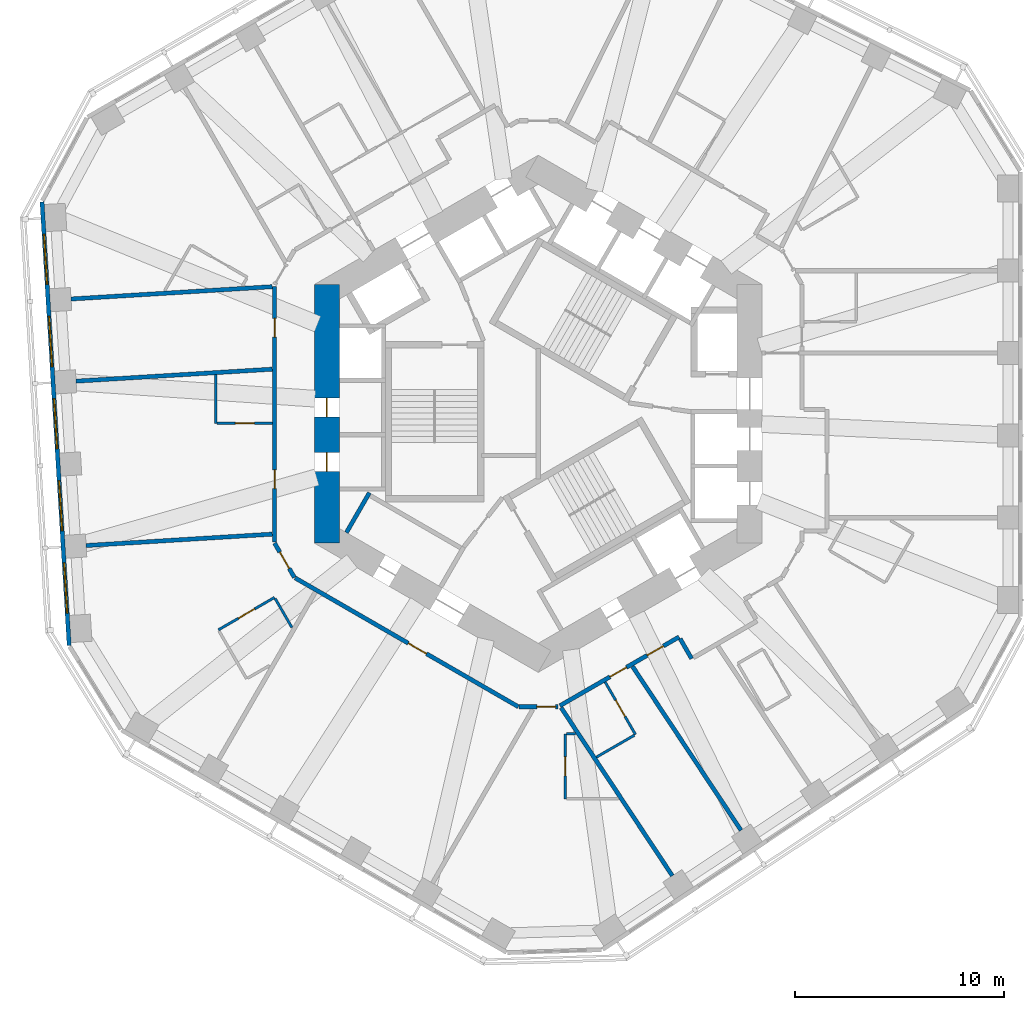
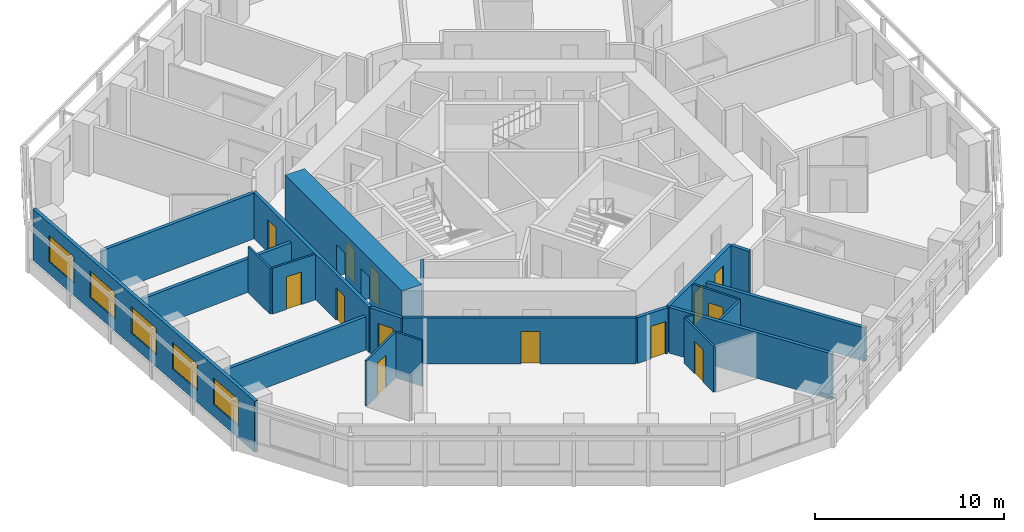
# One storey, part 4 of 12: 22 walls, 13 doors, 5 windows, 18 openings.
"""IFC4 building model written with IfcOpenShell, lengths in metres."""

import ifcopenshell
import ifcopenshell.guid

model = None  # the IFC model being written
_history = None  # IfcOwnerHistory: only IFC2X3 demands one
_inside = {}  # id of a spatial element -> (the spatial element, [elements in it])
_under = {}  # id of a project, library or spatial element -> (it, [spatial elements below it])
_declared = {}  # id of a project -> (the project, [libraries it declares])
_typed = {}  # id of a type object -> (the type object, [elements of that type])
_made_of = {}  # id of a material, layer set ... -> (it, [elements and type objects made of it])


def new_model(schema):
    """Start an empty IFC model of exactly this schema.

    Asked for "IFC4X3", IfcOpenShell would pick the latest addendum, in which some entities
    have other attributes; the version numbers below select the first issue.
    IFC2X3 requires an IfcOwnerHistory on every rooted entity: one is made here for all.
    """
    global model, _history
    if schema == "IFC4X3":
        model = ifcopenshell.file(schema_version=(4, 3, 0, 0))
    else:
        model = ifcopenshell.file(schema=schema)
    _inside.clear()
    _under.clear()
    _declared.clear()
    _typed.clear()
    _made_of.clear()
    _history = None
    if model.schema == "IFC2X3":
        org = make("IfcOrganization", Name="unknown")
        user = make(
            "IfcPersonAndOrganization",
            ThePerson=make("IfcPerson", FamilyName="unknown"),
            TheOrganization=org,
        )
        app = make(
            "IfcApplication",
            ApplicationDeveloper=org,
            Version="unknown",
            ApplicationFullName="unknown",
            ApplicationIdentifier="unknown",
        )
        _history = make(
            "IfcOwnerHistory",
            OwningUser=user,
            OwningApplication=app,
            ChangeAction="ADDED",
            CreationDate=0,
        )
    return model


def make(cls, **values):
    """One entity of the class cls with the attributes given. An attribute that is None is left unset."""
    return model.create_entity(
        cls, **{name: value for name, value in values.items() if value is not None}
    )


def rooted(cls, **values):
    """An entity with a GlobalId (a new one), such as an element, a storey or a relation."""
    return make(cls, GlobalId=ifcopenshell.guid.new(), OwnerHistory=_history, **values)


def si_unit(unit_type, name, prefix=None):
    """IfcSIUnit, for example si_unit("LENGTHUNIT", "METRE", prefix="MILLI")."""
    return make("IfcSIUnit", UnitType=unit_type, Prefix=prefix, Name=name)


def assignment(units):
    """IfcUnitAssignment: the units of a project."""
    return None if units is None else make("IfcUnitAssignment", Units=units)


def point(xyz):
    """IfcCartesianPoint."""
    return None if xyz is None else make("IfcCartesianPoint", Coordinates=xyz)


def direction(xyz):
    """IfcDirection."""
    return None if xyz is None else make("IfcDirection", DirectionRatios=xyz)


def frame(location, z_axis=None, x_axis=None):
    """IfcAxis2Placement3D, a coordinate frame: its origin and axes. An axis left out is left unset."""
    return make(
        "IfcAxis2Placement3D",
        Location=point(location),
        Axis=direction(z_axis),
        RefDirection=direction(x_axis),
    )


def frame_2d(location, x_axis=None):
    """IfcAxis2Placement2D, a coordinate frame in the plane: its origin and x axis."""
    return make(
        "IfcAxis2Placement2D", Location=point(location), RefDirection=direction(x_axis)
    )


def origin():
    """The frame at (0, 0, 0) with its axes left unset."""
    return frame((0.0, 0.0, 0.0))


def place(relative_to, where):
    """IfcLocalPlacement: puts the frame where relative to a parent placement (None: the world)."""
    return make(
        "IfcLocalPlacement", PlacementRelTo=relative_to, RelativePlacement=where
    )


def context(
    kind, dimensions, precision=None, world=None, true_north=None, identifier=None
):
    """IfcGeometricRepresentationContext, for example the 3D "Model" context."""
    return make(
        "IfcGeometricRepresentationContext",
        ContextIdentifier=identifier,
        ContextType=kind,
        CoordinateSpaceDimension=dimensions,
        Precision=precision,
        WorldCoordinateSystem=world,
        TrueNorth=true_north,
    )


def subcontext(parent, identifier, kind, view, scale=None):
    """IfcGeometricRepresentationSubContext, for example "Body" below "Model"."""
    return make(
        "IfcGeometricRepresentationSubContext",
        ContextIdentifier=identifier,
        ContextType=kind,
        ParentContext=parent,
        TargetScale=scale,
        TargetView=view,
    )


def project(units=None, contexts=None):
    """IfcProject with its units and contexts."""
    return rooted(
        "IfcProject",
        Name="project",
        RepresentationContexts=contexts,
        UnitsInContext=assignment(units),
    )


def spatial(cls, under=None, at=None, **own):
    """A site, building, storey or space (cls), placed at a placement, below another one or the project."""
    s = rooted(cls, ObjectPlacement=at, **own)
    if under is not None:
        _under.setdefault(under.id(), (under, []))[1].append(s)
    return s


def profile(cls, at=None, kind="AREA", **sizes):
    """A parametric profile (cls). Its sizes go by their IFC names, for example OverallWidth=200.0."""
    return make(cls, ProfileType=kind, Position=at, **sizes)


def rectangle(**sizes):
    """IfcRectangleProfileDef."""
    return profile("IfcRectangleProfileDef", **sizes)


def extrude(swept, where, along, depth):
    """IfcExtrudedAreaSolid: the profile swept, set in the frame where, extruded along a direction by depth."""
    return make(
        "IfcExtrudedAreaSolid",
        SweptArea=swept,
        Position=where,
        ExtrudedDirection=direction(along),
        Depth=depth,
    )


def shape(context_of_items, identifier, shape_type, items):
    """IfcShapeRepresentation: the items that make up one representation, for example the "Body"."""
    return make(
        "IfcShapeRepresentation",
        ContextOfItems=context_of_items,
        RepresentationIdentifier=identifier,
        RepresentationType=shape_type,
        Items=items,
    )


def material(Name=None, Category=None):
    """IfcMaterial."""
    return make("IfcMaterial", Name=Name, Category=Category)


def layer(
    of_material, thickness, ventilated=None, Name=None, Category=None, Priority=None
):
    """IfcMaterialLayer: one layer of a wall or slab, of a material (None: an air gap)."""
    return make(
        "IfcMaterialLayer",
        Material=of_material,
        LayerThickness=thickness,
        IsVentilated=ventilated,
        Name=Name,
        Category=Category,
        Priority=Priority,
    )


def layer_set(layers, Name=None):
    """IfcMaterialLayerSet."""
    return make("IfcMaterialLayerSet", MaterialLayers=layers, LayerSetName=Name)


def made_of(thing, what):
    """Note that an element or type object is made of a material, layer set ...; save() writes the relation."""
    if what is not None:
        _made_of.setdefault(what.id(), (what, []))[1].append(thing)
    return thing


def type_object(cls, material=None, **own):
    """A type object (cls), such as IfcWallType, which elements share."""
    return made_of(rooted(cls, **own), material)


def element(
    cls,
    number,
    at=None,
    inside=None,
    cuts=None,
    type_object=None,
    material=None,
    context=None,
    identifier="Body",
    shape_type=None,
    held_by="IfcProductDefinitionShape",
    body=None,
    shapes=None,
    **own,
):
    """One element of the class cls, such as IfcWall. Its Tag is "e" and its number.

    at: its placement. inside: the storey or other place that contains it. cuts: it is an
    opening in that element (IfcRelVoidsElement). A single representation is given by context,
    identifier, shape_type and body (its items); several are given by shapes. held_by: the class
    of the entity that holds the representations. save() writes the other relations.
    """
    e = rooted(cls, Tag="e%d" % number, ObjectPlacement=at, **own)
    if body is not None:
        shapes = [shape(context, identifier, shape_type, body)]
    if shapes is not None:
        e.Representation = make(held_by, Representations=shapes)
    if inside is not None:
        _inside.setdefault(inside.id(), (inside, []))[1].append(e)
    if cuts is not None:
        rooted(
            "IfcRelVoidsElement", RelatingBuildingElement=cuts, RelatedOpeningElement=e
        )
    if type_object is not None:
        _typed.setdefault(type_object.id(), (type_object, []))[1].append(e)
    return made_of(e, material)


def fill(opening, filler):
    """IfcRelFillsElement: the door or window that sits in an opening."""
    return rooted(
        "IfcRelFillsElement",
        RelatingOpeningElement=opening,
        RelatedBuildingElement=filler,
    )


def aggregate(whole, parts):
    """IfcRelAggregates: a whole, such as a stair, and the parts it consists of."""
    return rooted("IfcRelAggregates", RelatingObject=whole, RelatedObjects=parts)


def save(model, path):
    """Write the relations noted so far, then the file.

    IfcRelAggregates (storeys below a building ...), IfcRelContainedInSpatialStructure (elements
    in a storey), IfcRelDefinesByType, IfcRelAssociatesMaterial and IfcRelDeclares: one each for
    every whole, place, type object, material and project.
    """
    for whole, parts in _under.values():
        aggregate(whole, parts)
    for where, things in _inside.values():
        rooted(
            "IfcRelContainedInSpatialStructure",
            RelatedElements=things,
            RelatingStructure=where,
        )
    for kind, things in _typed.values():
        rooted("IfcRelDefinesByType", RelatedObjects=things, RelatingType=kind)
    for what, things in _made_of.values():
        rooted("IfcRelAssociatesMaterial", RelatedObjects=things, RelatingMaterial=what)
    for by, libraries in _declared.values():
        rooted("IfcRelDeclares", RelatingContext=by, RelatedDefinitions=libraries)
    model.write(path)


model = new_model("IFC4")

# Units and contexts
model_context = context("Model", 3, precision=1e-05, world=origin(), true_north=direction((0.0, 1.0)))
body_context = subcontext(model_context, "Body", "Model", "MODEL_VIEW")
ifc_project = project(units=[si_unit("LENGTHUNIT", "METRE"), si_unit("AREAUNIT", "SQUARE_METRE"), si_unit("VOLUMEUNIT", "CUBIC_METRE"), si_unit("PLANEANGLEUNIT", "RADIAN"), si_unit("MASSUNIT", "GRAM", prefix="KILO")], contexts=[model_context])

# Site, building, storey
site_placement = place(None, origin())
site = spatial("IfcSite", under=ifc_project, at=site_placement, CompositionType="ELEMENT")
building_placement = place(site_placement, origin())
building = spatial("IfcBuilding", under=site, at=building_placement, Name="Vanh Sen Convention Tower", CompositionType="ELEMENT")
storey_placement = place(building_placement, frame((0.0, 0.0, 116.60009765625)))
storey = spatial("IfcBuildingStorey", under=building, at=storey_placement, Name="L28", CompositionType="ELEMENT", Elevation=116.60009765625)

# Wall
ifc_material_1 = material(Name="Moisture-resistant gypsum board on steel studs", Category="steel")
ifc_layer_1 = layer(ifc_material_1, 0.1201171875)
ifc_layer_set_1 = layer_set([ifc_layer_1], Name="Moisture-resistant gypsum board on steel studs")
wall_type_1 = type_object("IfcWallType", Name="Bathroom partition 120", PredefinedType="PARTITIONING", material=ifc_layer_set_1)
wall_1_placement = place(storey_placement, frame((-15.39990234375, -0.460693359375, 0.0), z_axis=(0.0, 0.0, 1.0), x_axis=(0.0, 1.0, 0.0)))
element("IfcWall", 1, at=wall_1_placement, inside=storey, type_object=wall_type_1, Name="Bathroom partition 120", PredefinedType="PARTITIONING", context=body_context, shape_type="SweptSolid", body=[
    extrude(rectangle(XDim=2.328857421875, YDim=0.1201171875, at=frame_2d((1.16455078125, 0.0))), origin(), (0.0, 0.0, 1.0), 2.949951171875),
])

# Wall, opening, door
wall_2_placement = place(storey_placement, frame((-15.285400390625, -10.326171875, 0.0), z_axis=(0.0, 0.0, 1.0), x_axis=(0.86600983753, 0.500026960575, 0.0)))
wall_2 = element("IfcWall", 2, at=wall_2_placement, inside=storey, type_object=wall_type_1, Name="Bathroom partition 120", PredefinedType="PARTITIONING", context=body_context, shape_type="SweptSolid", body=[
    extrude(rectangle(XDim=3.099853515625, YDim=0.1201171875, at=frame_2d((1.5498046875, 0.0))), origin(), (0.0, 0.0, 1.0), 2.949951171875),
])
opening_1_placement = place(wall_2_placement, frame((1.10009765625, 0.0, 0.0)))
opening_1 = element("IfcOpeningElement", 3, at=opening_1_placement, cuts=wall_2, Name="Opening D27122", PredefinedType="OPENING", context=body_context, shape_type="SweptSolid", body=[
    extrude(rectangle(XDim=0.89990234375, YDim=2.10009765625, at=frame_2d((0.449951171875, 1.050048828125))), frame((0.0, 0.070068359375, 0.0), z_axis=(0.0, -1.0, 0.0), x_axis=(1.0, 0.0, 0.0)), (0.0, 0.0, 1.0), 0.14013671875),
])
ifc_material_2 = material(Name="Laminate door in steel frame", Category="steel")
door_type_1 = type_object("IfcDoorType", Name="En-suite door 900", OperationType="SINGLE_SWING_LEFT", PredefinedType="DOOR", material=ifc_material_2)
door_1_placement = place(opening_1_placement, origin())
door_1 = element("IfcDoor", 4, at=door_1_placement, inside=storey, type_object=door_type_1, Name="En-suite door D27122", OperationType="SINGLE_SWING_LEFT", OverallHeight=2.10009765625, OverallWidth=0.89990234375, PredefinedType="DOOR", context=body_context, shape_type="SweptSolid", body=[
    extrude(rectangle(XDim=0.89990234375, YDim=2.10009765625, at=frame_2d((0.449951171875, 1.050048828125))), frame((0.0, 0.02490234375, 0.0), z_axis=(0.0, -1.0, 0.0), x_axis=(1.0, 0.0, 0.0)), (0.0, 0.0, 1.0), 0.050048828125),
])
fill(opening_1, door_1)

wall_3_placement = place(storey_placement, frame((-12.699951171875, -0.460693359375, 0.0), z_axis=(0.0, 0.0, 1.0), x_axis=(-1.0, 0.0, 0.0)))
wall_3 = element("IfcWall", 5, at=wall_3_placement, inside=storey, type_object=wall_type_1, Name="Bathroom partition 120", PredefinedType="PARTITIONING", context=body_context, shape_type="SweptSolid", body=[
    extrude(rectangle(XDim=2.64013671875, YDim=0.1201171875, at=frame_2d((1.320068359375, 0.0))), origin(), (0.0, 0.0, 1.0), 2.949951171875),
])
opening_2_placement = place(wall_3_placement, frame((0.8701171875, 0.0, 0.0)))
opening_2 = element("IfcOpeningElement", 6, at=opening_2_placement, cuts=wall_3, Name="Opening D27120", PredefinedType="OPENING", context=body_context, shape_type="SweptSolid", body=[
    extrude(rectangle(XDim=0.89990234375, YDim=2.10009765625, at=frame_2d((0.449951171875, 1.050048828125))), frame((0.0, 0.070068359375, 0.0), z_axis=(0.0, -1.0, 0.0), x_axis=(1.0, 0.0, 0.0)), (0.0, 0.0, 1.0), 0.14013671875),
])
door_2_placement = place(opening_2_placement, origin())
door_2 = element("IfcDoor", 7, at=door_2_placement, inside=storey, type_object=door_type_1, Name="En-suite door D27120", OperationType="SINGLE_SWING_LEFT", OverallHeight=2.10009765625, OverallWidth=0.89990234375, PredefinedType="DOOR", context=body_context, shape_type="SweptSolid", body=[
    extrude(rectangle(XDim=0.89990234375, YDim=2.10009765625, at=frame_2d((0.449951171875, 1.050048828125))), frame((0.0, 0.02490234375, 0.0), z_axis=(0.0, -1.0, 0.0), x_axis=(1.0, 0.0, 0.0)), (0.0, 0.0, 1.0), 0.050048828125),
])
fill(opening_2, door_2)

# Wall
wall_4_placement = place(storey_placement, frame((-12.57080078125, -8.828125, 0.0), z_axis=(0.0, 0.0, 1.0), x_axis=(0.499960029081, -0.866048479775, 0.0)))
element("IfcWall", 8, at=wall_4_placement, inside=storey, type_object=wall_type_1, Name="Bathroom partition 120", PredefinedType="PARTITIONING", context=body_context, shape_type="SweptSolid", body=[
    extrude(rectangle(XDim=1.601318359375, YDim=0.1201171875, at=frame_2d((0.80078125, 0.0))), origin(), (0.0, 0.0, 1.0), 2.949951171875),
])

# Wall, opening, door
wall_5_placement = place(storey_placement, frame((1.300048828125, -18.400634765625, 0.0), z_axis=(0.0, 0.0, 1.0), x_axis=(0.0, 1.0, 0.0)))
wall_5 = element("IfcWall", 9, at=wall_5_placement, inside=storey, type_object=wall_type_1, Name="Bathroom partition 120", PredefinedType="PARTITIONING", context=body_context, shape_type="SweptSolid", body=[
    extrude(rectangle(XDim=3.099853515625, YDim=0.1201171875, at=frame_2d((1.5498046875, 0.0))), origin(), (0.0, 0.0, 1.0), 2.949951171875),
])
opening_3_placement = place(wall_5_placement, frame((1.10009765625, 0.0, 0.0)))
opening_3 = element("IfcOpeningElement", 10, at=opening_3_placement, cuts=wall_5, Name="Opening D27125", PredefinedType="OPENING", context=body_context, shape_type="SweptSolid", body=[
    extrude(rectangle(XDim=0.89990234375, YDim=2.10009765625, at=frame_2d((0.449951171875, 1.050048828125))), frame((0.0, 0.070068359375, 0.0), z_axis=(0.0, -1.0, 0.0), x_axis=(1.0, 0.0, 0.0)), (0.0, 0.0, 1.0), 0.14013671875),
])
door_3_placement = place(opening_3_placement, origin())
door_3 = element("IfcDoor", 11, at=door_3_placement, inside=storey, type_object=door_type_1, Name="En-suite door D27125", OperationType="SINGLE_SWING_LEFT", OverallHeight=2.10009765625, OverallWidth=0.89990234375, PredefinedType="DOOR", context=body_context, shape_type="SweptSolid", body=[
    extrude(rectangle(XDim=0.89990234375, YDim=2.10009765625, at=frame_2d((0.449951171875, 1.050048828125))), frame((0.0, 0.02490234375, 0.0), z_axis=(0.0, -1.0, 0.0), x_axis=(1.0, 0.0, 0.0)), (0.0, 0.0, 1.0), 0.050048828125),
])
fill(opening_3, door_3)

# Wall
wall_6_placement = place(storey_placement, frame((1.360107421875, -15.30078125, 0.0), z_axis=(0.0, 0.0, 1.0), x_axis=(1.0, 0.0, 0.0)))
element("IfcWall", 12, at=wall_6_placement, inside=storey, type_object=wall_type_1, Name="Bathroom partition 120", PredefinedType="PARTITIONING", context=body_context, shape_type="SweptSolid", body=[
    extrude(rectangle(XDim=0.415771484375, YDim=0.1201171875, at=frame_2d((0.2080078125, 0.0))), origin(), (0.0, 0.0, 1.0), 2.949951171875),
])

# Wall, opening, door
wall_7_placement = place(storey_placement, frame((3.1982421875, -12.818115234375, 0.0), z_axis=(0.0, 0.0, 1.0), x_axis=(0.499987231761, -0.866032775405, 0.0)))
wall_7 = element("IfcWall", 13, at=wall_7_placement, inside=storey, type_object=wall_type_1, Name="Bathroom partition 120", PredefinedType="PARTITIONING", context=body_context, shape_type="SweptSolid", body=[
    extrude(rectangle(XDim=2.89990234375, YDim=0.1201171875, at=frame_2d((1.449951171875, 0.0))), origin(), (0.0, 0.0, 1.0), 2.949951171875),
])
opening_4_placement = place(wall_7_placement, frame((1.0, 0.0, 0.0)))
opening_4 = element("IfcOpeningElement", 14, at=opening_4_placement, cuts=wall_7, Name="Opening D27127", PredefinedType="OPENING", context=body_context, shape_type="SweptSolid", body=[
    extrude(rectangle(XDim=0.89990234375, YDim=2.10009765625, at=frame_2d((0.449951171875, 1.050048828125))), frame((0.0, 0.070068359375, 0.0), z_axis=(0.0, -1.0, 0.0), x_axis=(1.0, 0.0, 0.0)), (0.0, 0.0, 1.0), 0.14013671875),
])
door_4_placement = place(opening_4_placement, origin())
door_4 = element("IfcDoor", 15, at=door_4_placement, inside=storey, type_object=door_type_1, Name="En-suite door D27127", OperationType="SINGLE_SWING_LEFT", OverallHeight=2.10009765625, OverallWidth=0.89990234375, PredefinedType="DOOR", context=body_context, shape_type="SweptSolid", body=[
    extrude(rectangle(XDim=0.89990234375, YDim=2.10009765625, at=frame_2d((0.449951171875, 1.050048828125))), frame((0.0, 0.02490234375, 0.0), z_axis=(0.0, -1.0, 0.0), x_axis=(1.0, 0.0, 0.0)), (0.0, 0.0, 1.0), 0.050048828125),
])
fill(opening_4, door_4)

# Wall
wall_8_placement = place(storey_placement, frame((4.59619140625, -15.359619140625, 0.0), z_axis=(0.0, 0.0, 1.0), x_axis=(-0.865986006152, -0.500068232493, 0.0)))
element("IfcWall", 16, at=wall_8_placement, inside=storey, type_object=wall_type_1, Name="Bathroom partition 120", PredefinedType="PARTITIONING", context=body_context, shape_type="SweptSolid", body=[
    extrude(rectangle(XDim=2.098388671875, YDim=0.1201171875, at=frame_2d((1.04931640625, 0.0))), origin(), (0.0, 0.0, 1.0), 2.949951171875),
])

# Wall, openings, doors
ifc_material_3 = material(Name="Concrete C80/95", Category="concrete")
ifc_layer_2 = layer(ifc_material_3, 1.199951171875)
ifc_layer_set_2 = layer_set([ifc_layer_2], Name="Concrete C80/95")
wall_type_2 = type_object("IfcWallType", Name="Core outer wall 1200 C80/95", PredefinedType="SHEAR", material=ifc_layer_set_2)
wall_9_placement = place(storey_placement, frame((-10.10009765625, 6.177490234375, 0.0), z_axis=(0.0, 0.0, 1.0), x_axis=(0.0, -1.0, 0.0)))
wall_9 = element("IfcWall", 17, at=wall_9_placement, inside=storey, type_object=wall_type_2, Name="Core wall face W L28", PredefinedType="SHEAR", context=body_context, shape_type="SweptSolid", body=[
    extrude(rectangle(XDim=12.35498046875, YDim=1.199951171875, at=frame_2d((6.177490234375, 0.0))), origin(), (0.0, 0.0, 1.0), 3.2998046875),
])
opening_5_placement = place(wall_9_placement, frame((5.427490234375, 0.0, 0.0)))
opening_5 = element("IfcOpeningElement", 18, at=opening_5_placement, cuts=wall_9, Name="Opening D27010", PredefinedType="OPENING", context=body_context, shape_type="SweptSolid", body=[
    extrude(rectangle(XDim=0.89990234375, YDim=2.10009765625, at=frame_2d((0.449951171875, 1.050048828125))), frame((0.0, 0.60986328125, 0.0), z_axis=(0.0, -1.0, 0.0), x_axis=(1.0, 0.0, 0.0)), (0.0, 0.0, 1.0), 1.219970703125),
])
opening_6_placement = place(wall_9_placement, frame((8.027587890625, 0.0, 0.0)))
opening_6 = element("IfcOpeningElement", 19, at=opening_6_placement, cuts=wall_9, Name="Opening D27011", PredefinedType="OPENING", context=body_context, shape_type="SweptSolid", body=[
    extrude(rectangle(XDim=0.89990234375, YDim=2.10009765625, at=frame_2d((0.449951171875, 1.050048828125))), frame((0.0, 0.60986328125, 0.0), z_axis=(0.0, -1.0, 0.0), x_axis=(1.0, 0.0, 0.0)), (0.0, 0.0, 1.0), 1.219970703125),
])
ifc_material_4 = material(Name="Steel S355", Category="steel")
door_type_2 = type_object("IfcDoorType", Name="Plant door 900", OperationType="SINGLE_SWING_LEFT", PredefinedType="DOOR", material=ifc_material_4)
door_5_placement = place(opening_5_placement, origin())
door_5 = element("IfcDoor", 20, at=door_5_placement, inside=storey, type_object=door_type_2, Name="Plant door D27010", OperationType="SINGLE_SWING_LEFT", OverallHeight=2.10009765625, OverallWidth=0.89990234375, PredefinedType="DOOR", context=body_context, shape_type="SweptSolid", body=[
    extrude(rectangle(XDim=0.89990234375, YDim=2.10009765625, at=frame_2d((0.449951171875, 1.050048828125))), frame((0.0, 0.02490234375, 0.0), z_axis=(0.0, -1.0, 0.0), x_axis=(1.0, 0.0, 0.0)), (0.0, 0.0, 1.0), 0.050048828125),
])
fill(opening_5, door_5)
door_6_placement = place(opening_6_placement, origin())
door_6 = element("IfcDoor", 21, at=door_6_placement, inside=storey, type_object=door_type_2, Name="Plant door D27011", OperationType="SINGLE_SWING_LEFT", OverallHeight=2.10009765625, OverallWidth=0.89990234375, PredefinedType="DOOR", context=body_context, shape_type="SweptSolid", body=[
    extrude(rectangle(XDim=0.89990234375, YDim=2.10009765625, at=frame_2d((0.449951171875, 1.050048828125))), frame((0.0, 0.02490234375, 0.0), z_axis=(0.0, -1.0, 0.0), x_axis=(1.0, 0.0, 0.0)), (0.0, 0.0, 1.0), 0.050048828125),
])
fill(opening_6, door_6)

# Wall, opening, door
ifc_material_5 = material(Name="Gypsum board on steel studs with mineral wool", Category="steel")
ifc_layer_3 = layer(ifc_material_5, 0.199951171875)
ifc_layer_set_3 = layer_set([ifc_layer_3], Name="Gypsum board on steel studs with mineral wool")
wall_type_3 = type_object("IfcWallType", Name="Corridor partition wall 200", PredefinedType="PARTITIONING", material=ifc_layer_set_3)
wall_10_placement = place(storey_placement, frame((-12.60009765625, -6.177490234375, 0.0), z_axis=(0.0, 0.0, 1.0), x_axis=(0.500063520245, -0.865988727248, 0.0)))
wall_10 = element("IfcWall", 22, at=wall_10_placement, inside=storey, type_object=wall_type_3, Name="Corridor partition wall 200", PredefinedType="PARTITIONING", context=body_context, shape_type="SweptSolid", body=[
    extrude(rectangle(XDim=1.900146484375, YDim=0.199951171875, at=frame_2d((0.9501953125, 0.0))), origin(), (0.0, 0.0, 1.0), 2.949951171875),
])
opening_7_placement = place(wall_10_placement, frame((0.5, 0.0, 0.0)))
opening_7 = element("IfcOpeningElement", 23, at=opening_7_placement, cuts=wall_10, Name="Opening D27121", PredefinedType="OPENING", context=body_context, shape_type="SweptSolid", body=[
    extrude(rectangle(XDim=0.89990234375, YDim=2.10009765625, at=frame_2d((0.449951171875, 1.050048828125))), frame((0.0, 0.10986328125, 0.0), z_axis=(0.0, -1.0, 0.0), x_axis=(1.0, 0.0, 0.0)), (0.0, 0.0, 1.0), 0.219970703125),
])
ifc_material_6 = material(Name="Timber fire door in steel frame", Category="steel")
door_type_3 = type_object("IfcDoorType", Name="Guest room door 900", OperationType="SINGLE_SWING_LEFT", PredefinedType="DOOR", material=ifc_material_6)
door_7_placement = place(opening_7_placement, origin())
door_7 = element("IfcDoor", 24, at=door_7_placement, inside=storey, type_object=door_type_3, Name="Hotel guest room door D27121", OperationType="SINGLE_SWING_LEFT", OverallHeight=2.10009765625, OverallWidth=0.89990234375, PredefinedType="DOOR", context=body_context, shape_type="SweptSolid", body=[
    extrude(rectangle(XDim=0.89990234375, YDim=2.10009765625, at=frame_2d((0.449951171875, 1.050048828125))), frame((0.0, 0.02490234375, 0.0), z_axis=(0.0, -1.0, 0.0), x_axis=(1.0, 0.0, 0.0)), (0.0, 0.0, 1.0), 0.050048828125),
])
fill(opening_7, door_7)

# Wall, openings, doors
wall_11_placement = place(storey_placement, frame((-12.60009765625, 6.081298828125, 0.0), z_axis=(0.0, 0.0, 1.0), x_axis=(0.0, -1.0, 0.0)))
wall_11 = element("IfcWall", 25, at=wall_11_placement, inside=storey, type_object=wall_type_3, Name="Corridor partition wall 200", PredefinedType="PARTITIONING", context=body_context, shape_type="SweptSolid", body=[
    extrude(rectangle(XDim=12.218994140625, YDim=0.199951171875, at=frame_2d((6.109375, 0.0))), origin(), (0.0, 0.0, 1.0), 2.949951171875),
])
opening_8_placement = place(wall_11_placement, frame((1.52099609375, 0.0, 0.0)))
opening_8 = element("IfcOpeningElement", 26, at=opening_8_placement, cuts=wall_11, Name="Opening D27118", PredefinedType="OPENING", context=body_context, shape_type="SweptSolid", body=[
    extrude(rectangle(XDim=0.89990234375, YDim=2.10009765625, at=frame_2d((0.449951171875, 1.050048828125))), frame((0.0, 0.10986328125, 0.0), z_axis=(0.0, -1.0, 0.0), x_axis=(1.0, 0.0, 0.0)), (0.0, 0.0, 1.0), 0.219970703125),
])
opening_9_placement = place(wall_11_placement, frame((8.7587890625, 0.0, 0.0)))
opening_9 = element("IfcOpeningElement", 27, at=opening_9_placement, cuts=wall_11, Name="Opening D27119", PredefinedType="OPENING", context=body_context, shape_type="SweptSolid", body=[
    extrude(rectangle(XDim=0.89990234375, YDim=2.10009765625, at=frame_2d((0.449951171875, 1.050048828125))), frame((0.0, 0.10986328125, 0.0), z_axis=(0.0, -1.0, 0.0), x_axis=(1.0, 0.0, 0.0)), (0.0, 0.0, 1.0), 0.219970703125),
])
door_type_4 = type_object("IfcDoorType", Name="Floor service door 900", OperationType="SINGLE_SWING_LEFT", PredefinedType="DOOR", material=ifc_material_6)
door_8_placement = place(opening_8_placement, origin())
door_8 = element("IfcDoor", 28, at=door_8_placement, inside=storey, type_object=door_type_4, Name="Service room door D27118", OperationType="SINGLE_SWING_LEFT", OverallHeight=2.10009765625, OverallWidth=0.89990234375, PredefinedType="DOOR", context=body_context, shape_type="SweptSolid", body=[
    extrude(rectangle(XDim=0.89990234375, YDim=2.10009765625, at=frame_2d((0.449951171875, 1.050048828125))), frame((0.0, 0.02490234375, 0.0), z_axis=(0.0, -1.0, 0.0), x_axis=(1.0, 0.0, 0.0)), (0.0, 0.0, 1.0), 0.050048828125),
])
fill(opening_8, door_8)
door_9_placement = place(opening_9_placement, origin())
door_9 = element("IfcDoor", 29, at=door_9_placement, inside=storey, type_object=door_type_3, Name="Hotel guest room door D27119", OperationType="SINGLE_SWING_LEFT", OverallHeight=2.10009765625, OverallWidth=0.89990234375, PredefinedType="DOOR", context=body_context, shape_type="SweptSolid", body=[
    extrude(rectangle(XDim=0.89990234375, YDim=2.10009765625, at=frame_2d((0.449951171875, 1.050048828125))), frame((0.0, 0.02490234375, 0.0), z_axis=(0.0, -1.0, 0.0), x_axis=(1.0, 0.0, 0.0)), (0.0, 0.0, 1.0), 0.050048828125),
])
fill(opening_9, door_9)

# Wall, opening, door
wall_12_placement = place(storey_placement, frame((-11.615478515625, -7.843017578125, 0.0), z_axis=(0.0, 0.0, 1.0), x_axis=(0.866026466995, -0.499998158461, 0.0)))
wall_12 = element("IfcWall", 30, at=wall_12_placement, inside=storey, type_object=wall_type_3, Name="Corridor partition wall 200", PredefinedType="PARTITIONING", context=body_context, shape_type="SweptSolid", body=[
    extrude(rectangle(XDim=12.3154296875, YDim=0.199951171875, at=frame_2d((6.15771484375, 0.0))), origin(), (0.0, 0.0, 1.0), 2.949951171875),
])
opening_10_placement = place(wall_12_placement, frame((6.244140625, 0.0, 0.0)))
opening_10 = element("IfcOpeningElement", 31, at=opening_10_placement, cuts=wall_12, Name="Opening D27123", PredefinedType="OPENING", context=body_context, shape_type="SweptSolid", body=[
    extrude(rectangle(XDim=1.0, YDim=2.10009765625, at=frame_2d((0.5, 1.050048828125))), frame((0.0, 0.10986328125, 0.0), z_axis=(0.0, -1.0, 0.0), x_axis=(1.0, 0.0, 0.0)), (0.0, 0.0, 1.0), 0.219970703125),
])
door_type_5 = type_object("IfcDoorType", Name="Floor room door 1000", OperationType="SINGLE_SWING_LEFT", PredefinedType="DOOR", material=ifc_material_6)
door_10_placement = place(opening_10_placement, origin())
door_10 = element("IfcDoor", 32, at=door_10_placement, inside=storey, type_object=door_type_5, Name="Meeting and amenity room door D27123", OperationType="SINGLE_SWING_LEFT", OverallHeight=2.10009765625, OverallWidth=1.0, PredefinedType="DOOR", context=body_context, shape_type="SweptSolid", body=[
    extrude(rectangle(XDim=1.0, YDim=2.10009765625, at=frame_2d((0.5, 1.050048828125))), frame((0.0, 0.02490234375, 0.0), z_axis=(0.0, -1.0, 0.0), x_axis=(1.0, 0.0, 0.0)), (0.0, 0.0, 1.0), 0.050048828125),
])
fill(opening_10, door_10)

wall_13_placement = place(storey_placement, frame((-0.909912109375, -14.000732421875, 0.0), z_axis=(0.0, 0.0, 1.0), x_axis=(1.0, 0.0, 0.0)))
wall_13 = element("IfcWall", 33, at=wall_13_placement, inside=storey, type_object=wall_type_3, Name="Corridor partition wall 200", PredefinedType="PARTITIONING", context=body_context, shape_type="SweptSolid", body=[
    extrude(rectangle(XDim=1.85986328125, YDim=0.199951171875, at=frame_2d((0.929931640625, 0.0))), origin(), (0.0, 0.0, 1.0), 2.949951171875),
])
opening_11_placement = place(wall_13_placement, frame((0.841796875, 0.0, 0.0)))
opening_11 = element("IfcOpeningElement", 34, at=opening_11_placement, cuts=wall_13, Name="Opening D27124", PredefinedType="OPENING", context=body_context, shape_type="SweptSolid", body=[
    extrude(rectangle(XDim=0.89990234375, YDim=2.10009765625, at=frame_2d((0.449951171875, 1.050048828125))), frame((0.0, 0.10986328125, 0.0), z_axis=(0.0, -1.0, 0.0), x_axis=(1.0, 0.0, 0.0)), (0.0, 0.0, 1.0), 0.219970703125),
])
door_11_placement = place(opening_11_placement, origin())
door_11 = element("IfcDoor", 35, at=door_11_placement, inside=storey, type_object=door_type_3, Name="Hotel guest room door D27124", OperationType="SINGLE_SWING_LEFT", OverallHeight=2.10009765625, OverallWidth=0.89990234375, PredefinedType="DOOR", context=body_context, shape_type="SweptSolid", body=[
    extrude(rectangle(XDim=0.89990234375, YDim=2.10009765625, at=frame_2d((0.449951171875, 1.050048828125))), frame((0.0, 0.02490234375, 0.0), z_axis=(0.0, -1.0, 0.0), x_axis=(1.0, 0.0, 0.0)), (0.0, 0.0, 1.0), 0.050048828125),
])
fill(opening_11, door_11)

# Wall, openings, doors
wall_14_placement = place(storey_placement, frame((1.033447265625, -13.95263671875, 0.0), z_axis=(0.0, 0.0, 1.0), x_axis=(0.866017531406, 0.500013635111, 0.0)))
wall_14 = element("IfcWall", 36, at=wall_14_placement, inside=storey, type_object=wall_type_3, Name="Corridor partition wall 200", PredefinedType="PARTITIONING", context=body_context, shape_type="SweptSolid", body=[
    extrude(rectangle(XDim=6.580322265625, YDim=0.199951171875, at=frame_2d((3.2900390625, 0.0))), origin(), (0.0, 0.0, 1.0), 2.949951171875),
])
opening_12_placement = place(wall_14_placement, frame((2.766845703125, 0.0, 0.0)))
opening_12 = element("IfcOpeningElement", 37, at=opening_12_placement, cuts=wall_14, Name="Opening D27126", PredefinedType="OPENING", context=body_context, shape_type="SweptSolid", body=[
    extrude(rectangle(XDim=0.89990234375, YDim=2.10009765625, at=frame_2d((0.449951171875, 1.050048828125))), frame((0.0, 0.10986328125, 0.0), z_axis=(0.0, -1.0, 0.0), x_axis=(1.0, 0.0, 0.0)), (0.0, 0.0, 1.0), 0.219970703125),
])
opening_13_placement = place(wall_14_placement, frame((4.81103515625, 0.0, 0.0)))
opening_13 = element("IfcOpeningElement", 38, at=opening_13_placement, cuts=wall_14, Name="Opening D27128", PredefinedType="OPENING", context=body_context, shape_type="SweptSolid", body=[
    extrude(rectangle(XDim=0.89990234375, YDim=2.10009765625, at=frame_2d((0.449951171875, 1.050048828125))), frame((0.0, 0.10986328125, 0.0), z_axis=(0.0, -1.0, 0.0), x_axis=(1.0, 0.0, 0.0)), (0.0, 0.0, 1.0), 0.219970703125),
])
door_12_placement = place(opening_13_placement, origin())
door_12 = element("IfcDoor", 39, at=door_12_placement, inside=storey, type_object=door_type_4, Name="Service room door D27128", OperationType="SINGLE_SWING_LEFT", OverallHeight=2.10009765625, OverallWidth=0.89990234375, PredefinedType="DOOR", context=body_context, shape_type="SweptSolid", body=[
    extrude(rectangle(XDim=0.89990234375, YDim=2.10009765625, at=frame_2d((0.449951171875, 1.050048828125))), frame((0.0, 0.02490234375, 0.0), z_axis=(0.0, -1.0, 0.0), x_axis=(1.0, 0.0, 0.0)), (0.0, 0.0, 1.0), 0.050048828125),
])
fill(opening_13, door_12)
door_13_placement = place(opening_12_placement, origin())
door_13 = element("IfcDoor", 40, at=door_13_placement, inside=storey, type_object=door_type_3, Name="Hotel guest room door D27126", OperationType="SINGLE_SWING_LEFT", OverallHeight=2.10009765625, OverallWidth=0.89990234375, PredefinedType="DOOR", context=body_context, shape_type="SweptSolid", body=[
    extrude(rectangle(XDim=0.89990234375, YDim=2.10009765625, at=frame_2d((0.449951171875, 1.050048828125))), frame((0.0, 0.02490234375, 0.0), z_axis=(0.0, -1.0, 0.0), x_axis=(1.0, 0.0, 0.0)), (0.0, 0.0, 1.0), 0.050048828125),
])
fill(opening_12, door_13)

# Wall
wall_15_placement = place(storey_placement, frame((6.781982421875, -10.7490234375, 0.0), z_axis=(0.0, 0.0, 1.0), x_axis=(0.500074377092, -0.865982457891, 0.0)))
element("IfcWall", 41, at=wall_15_placement, inside=storey, type_object=wall_type_3, Name="Corridor partition wall 200", PredefinedType="PARTITIONING", context=body_context, shape_type="SweptSolid", body=[
    extrude(rectangle(XDim=1.100830078125, YDim=0.199951171875, at=frame_2d((0.55029296875, 0.0))), origin(), (0.0, 0.0, 1.0), 2.949951171875),
])

# Wall, openings, windows
ifc_material_7 = material(Name="Insulated lightweight infill wall")
ifc_layer_4 = layer(ifc_material_7, 0.199951171875)
ifc_layer_set_4 = layer_set([ifc_layer_4], Name="Insulated lightweight infill wall")
wall_type_4 = type_object("IfcWallType", Name="External wall 200", PredefinedType="STANDARD", material=ifc_layer_set_4)
wall_16_placement = place(storey_placement, frame((-23.712646484375, 10.130859375, 0.0), z_axis=(0.0, 0.0, 1.0), x_axis=(0.061040439785, -0.998135293791, 0.0)))
wall_16 = element("IfcWall", 42, at=wall_16_placement, inside=storey, type_object=wall_type_4, Name="External wall W L28", PredefinedType="STANDARD", context=body_context, shape_type="SweptSolid", body=[
    extrude(rectangle(XDim=21.24609375, YDim=0.199951171875, at=frame_2d((10.623046875, 0.0))), origin(), (0.0, 0.0, 1.0), 3.2998046875),
])
opening_14_placement = place(wall_16_placement, frame((1.552978515625, 0.0, 0.800048828125)))
opening_14 = element("IfcOpeningElement", 43, at=opening_14_placement, cuts=wall_16, Name="Opening WH1-W1", PredefinedType="OPENING", context=body_context, shape_type="SweptSolid", body=[
    extrude(rectangle(XDim=2.39990234375, YDim=1.699951171875, at=frame_2d((1.199951171875, 0.85009765625))), frame((0.0, 0.10986328125, 0.0), z_axis=(0.0, -1.0, 0.0), x_axis=(1.0, 0.0, 0.0)), (0.0, 0.0, 1.0), 0.219970703125),
])
opening_15_placement = place(wall_16_placement, frame((5.48779296875, 0.0, 0.800048828125)))
opening_15 = element("IfcOpeningElement", 44, at=opening_15_placement, cuts=wall_16, Name="Opening WH1-W2", PredefinedType="OPENING", context=body_context, shape_type="SweptSolid", body=[
    extrude(rectangle(XDim=2.39990234375, YDim=1.699951171875, at=frame_2d((1.199951171875, 0.85009765625))), frame((0.0, 0.10986328125, 0.0), z_axis=(0.0, -1.0, 0.0), x_axis=(1.0, 0.0, 0.0)), (0.0, 0.0, 1.0), 0.219970703125),
])
opening_16_placement = place(wall_16_placement, frame((9.42236328125, 0.0, 0.800048828125)))
opening_16 = element("IfcOpeningElement", 45, at=opening_16_placement, cuts=wall_16, Name="Opening WH1-W3", PredefinedType="OPENING", context=body_context, shape_type="SweptSolid", body=[
    extrude(rectangle(XDim=2.39990234375, YDim=1.699951171875, at=frame_2d((1.199951171875, 0.85009765625))), frame((0.0, 0.10986328125, 0.0), z_axis=(0.0, -1.0, 0.0), x_axis=(1.0, 0.0, 0.0)), (0.0, 0.0, 1.0), 0.219970703125),
])
opening_17_placement = place(wall_16_placement, frame((13.35693359375, 0.0, 0.800048828125)))
opening_17 = element("IfcOpeningElement", 46, at=opening_17_placement, cuts=wall_16, Name="Opening WH1-W4", PredefinedType="OPENING", context=body_context, shape_type="SweptSolid", body=[
    extrude(rectangle(XDim=2.39990234375, YDim=1.699951171875, at=frame_2d((1.199951171875, 0.85009765625))), frame((0.0, 0.10986328125, 0.0), z_axis=(0.0, -1.0, 0.0), x_axis=(1.0, 0.0, 0.0)), (0.0, 0.0, 1.0), 0.219970703125),
])
opening_18_placement = place(wall_16_placement, frame((17.29150390625, 0.0, 0.800048828125)))
opening_18 = element("IfcOpeningElement", 47, at=opening_18_placement, cuts=wall_16, Name="Opening WH1-W5", PredefinedType="OPENING", context=body_context, shape_type="SweptSolid", body=[
    extrude(rectangle(XDim=2.39990234375, YDim=1.699951171875, at=frame_2d((1.199951171875, 0.85009765625))), frame((0.0, 0.10986328125, 0.0), z_axis=(0.0, -1.0, 0.0), x_axis=(1.0, 0.0, 0.0)), (0.0, 0.0, 1.0), 0.219970703125),
])
ifc_material_8 = material(Name="Aluminium frame with clear low-emissivity glass", Category="aluminium")
window_type = type_object("IfcWindowType", Name="Hotel window 2400 x 1700", PartitioningType="SINGLE_PANEL", PredefinedType="WINDOW", material=ifc_material_8)
window_1_placement = place(opening_14_placement, origin())
window_1 = element("IfcWindow", 48, at=window_1_placement, inside=storey, type_object=window_type, Name="Window WH1-W1", OverallHeight=1.699951171875, OverallWidth=2.39990234375, PartitioningType="SINGLE_PANEL", PredefinedType="WINDOW", context=body_context, shape_type="SweptSolid", body=[
    extrude(rectangle(XDim=2.39990234375, YDim=1.699951171875, at=frame_2d((1.199951171875, 0.85009765625))), frame((0.0, 0.030029296875, 0.0), z_axis=(0.0, -1.0, 0.0), x_axis=(1.0, 0.0, 0.0)), (0.0, 0.0, 1.0), 0.06005859375),
])
fill(opening_14, window_1)
window_2_placement = place(opening_15_placement, origin())
window_2 = element("IfcWindow", 49, at=window_2_placement, inside=storey, type_object=window_type, Name="Window WH1-W2", OverallHeight=1.699951171875, OverallWidth=2.39990234375, PartitioningType="SINGLE_PANEL", PredefinedType="WINDOW", context=body_context, shape_type="SweptSolid", body=[
    extrude(rectangle(XDim=2.39990234375, YDim=1.699951171875, at=frame_2d((1.199951171875, 0.85009765625))), frame((0.0, 0.030029296875, 0.0), z_axis=(0.0, -1.0, 0.0), x_axis=(1.0, 0.0, 0.0)), (0.0, 0.0, 1.0), 0.06005859375),
])
fill(opening_15, window_2)
window_3_placement = place(opening_16_placement, origin())
window_3 = element("IfcWindow", 50, at=window_3_placement, inside=storey, type_object=window_type, Name="Window WH1-W3", OverallHeight=1.699951171875, OverallWidth=2.39990234375, PartitioningType="SINGLE_PANEL", PredefinedType="WINDOW", context=body_context, shape_type="SweptSolid", body=[
    extrude(rectangle(XDim=2.39990234375, YDim=1.699951171875, at=frame_2d((1.199951171875, 0.85009765625))), frame((0.0, 0.030029296875, 0.0), z_axis=(0.0, -1.0, 0.0), x_axis=(1.0, 0.0, 0.0)), (0.0, 0.0, 1.0), 0.06005859375),
])
fill(opening_16, window_3)
window_4_placement = place(opening_17_placement, origin())
window_4 = element("IfcWindow", 51, at=window_4_placement, inside=storey, type_object=window_type, Name="Window WH1-W4", OverallHeight=1.699951171875, OverallWidth=2.39990234375, PartitioningType="SINGLE_PANEL", PredefinedType="WINDOW", context=body_context, shape_type="SweptSolid", body=[
    extrude(rectangle(XDim=2.39990234375, YDim=1.699951171875, at=frame_2d((1.199951171875, 0.85009765625))), frame((0.0, 0.030029296875, 0.0), z_axis=(0.0, -1.0, 0.0), x_axis=(1.0, 0.0, 0.0)), (0.0, 0.0, 1.0), 0.06005859375),
])
fill(opening_17, window_4)
window_5_placement = place(opening_18_placement, origin())
window_5 = element("IfcWindow", 52, at=window_5_placement, inside=storey, type_object=window_type, Name="Window WH1-W5", OverallHeight=1.699951171875, OverallWidth=2.39990234375, PartitioningType="SINGLE_PANEL", PredefinedType="WINDOW", context=body_context, shape_type="SweptSolid", body=[
    extrude(rectangle(XDim=2.39990234375, YDim=1.699951171875, at=frame_2d((1.199951171875, 0.85009765625))), frame((0.0, 0.030029296875, 0.0), z_axis=(0.0, -1.0, 0.0), x_axis=(1.0, 0.0, 0.0)), (0.0, 0.0, 1.0), 0.06005859375),
])
fill(opening_18, window_5)

# Walls
ifc_layer_5 = layer(ifc_material_5, 0.199951171875)
ifc_layer_set_5 = layer_set([ifc_layer_5], Name="Gypsum board on steel studs with mineral wool")
wall_type_5 = type_object("IfcWallType", Name="Hotel party wall 200", PredefinedType="PARTITIONING", material=ifc_layer_set_5)
wall_17_placement = place(storey_placement, frame((-22.32666015625, 5.486328125, 0.0), z_axis=(0.0, 0.0, 1.0), x_axis=(0.998135194863, 0.061042057435, 0.0)))
element("IfcWall", 53, at=wall_17_placement, inside=storey, type_object=wall_type_5, Name="Hotel party wall 200", PredefinedType="PARTITIONING", context=body_context, shape_type="SweptSolid", body=[
    extrude(rectangle(XDim=9.635009765625, YDim=0.199951171875, at=frame_2d((4.8173828125, 0.0))), origin(), (0.0, 0.0, 1.0), 2.949951171875),
])
wall_18_placement = place(storey_placement, frame((-22.08642578125, 1.55908203125, 0.0), z_axis=(0.0, 0.0, 1.0), x_axis=(0.99813491363, 0.061046655873, 0.0)))
element("IfcWall", 54, at=wall_18_placement, inside=storey, type_object=wall_type_5, Name="Hotel party wall 200", PredefinedType="PARTITIONING", context=body_context, shape_type="SweptSolid", body=[
    extrude(rectangle(XDim=9.394287109375, YDim=0.199951171875, at=frame_2d((4.697265625, 0.0))), origin(), (0.0, 0.0, 1.0), 2.14990234375),
])
wall_19_placement = place(storey_placement, frame((-21.60595703125, -6.29541015625, 0.0), z_axis=(0.0, 0.0, 1.0), x_axis=(0.998134305525, 0.061056597794, 0.0)))
element("IfcWall", 55, at=wall_19_placement, inside=storey, type_object=wall_type_5, Name="Hotel party wall 200", PredefinedType="PARTITIONING", context=body_context, shape_type="SweptSolid", body=[
    extrude(rectangle(XDim=8.912841796875, YDim=0.199951171875, at=frame_2d((4.45654296875, 0.0))), origin(), (0.0, 0.0, 1.0), 2.14990234375),
])
wall_20_placement = place(storey_placement, frame((6.411865234375, -22.07861328125, 0.0), z_axis=(0.0, 0.0, 1.0), x_axis=(-0.551919507115, 0.83389739037, 0.0)))
element("IfcWall", 56, at=wall_20_placement, inside=storey, type_object=wall_type_5, Name="Hotel party wall 200", PredefinedType="PARTITIONING", context=body_context, shape_type="SweptSolid", body=[
    extrude(rectangle(XDim=9.634765625, YDim=0.199951171875, at=frame_2d((4.8173828125, 0.0))), origin(), (0.0, 0.0, 1.0), 2.949951171875),
])
wall_21_placement = place(storey_placement, frame((9.69287109375, -19.906982421875, 0.0), z_axis=(0.0, 0.0, 1.0), x_axis=(-0.551938394837, 0.833884889121, 0.0)))
element("IfcWall", 57, at=wall_21_placement, inside=storey, type_object=wall_type_5, Name="Hotel party wall 200", PredefinedType="PARTITIONING", context=body_context, shape_type="SweptSolid", body=[
    extrude(rectangle(XDim=9.394287109375, YDim=0.199951171875, at=frame_2d((4.697265625, 0.0))), origin(), (0.0, 0.0, 1.0), 2.14990234375),
])
ifc_material_9 = material(Name="Concrete C40/50", Category="concrete")
ifc_layer_6 = layer(ifc_material_9, 0.199951171875)
ifc_layer_set_6 = layer_set([ifc_layer_6], Name="Concrete C40/50")
wall_type_6 = type_object("IfcWallType", Name="Lift shaft wall 200", PredefinedType="PARTITIONING", material=ifc_layer_set_6)
wall_22_placement = place(storey_placement, frame((-8.066650390625, -3.77197265625, 0.0), z_axis=(0.0, 0.0, 1.0), x_axis=(-0.50002983664, -0.866008176907, 0.0)))
element("IfcWall", 58, at=wall_22_placement, inside=storey, type_object=wall_type_6, Name="Lift shaft wall L28", PredefinedType="PARTITIONING", context=body_context, shape_type="SweptSolid", body=[
    extrude(rectangle(XDim=2.199951171875, YDim=0.199951171875, at=frame_2d((1.10009765625, 0.0))), origin(), (0.0, 0.0, 1.0), 2.949951171875),
])

save(model, "model.ifc")
